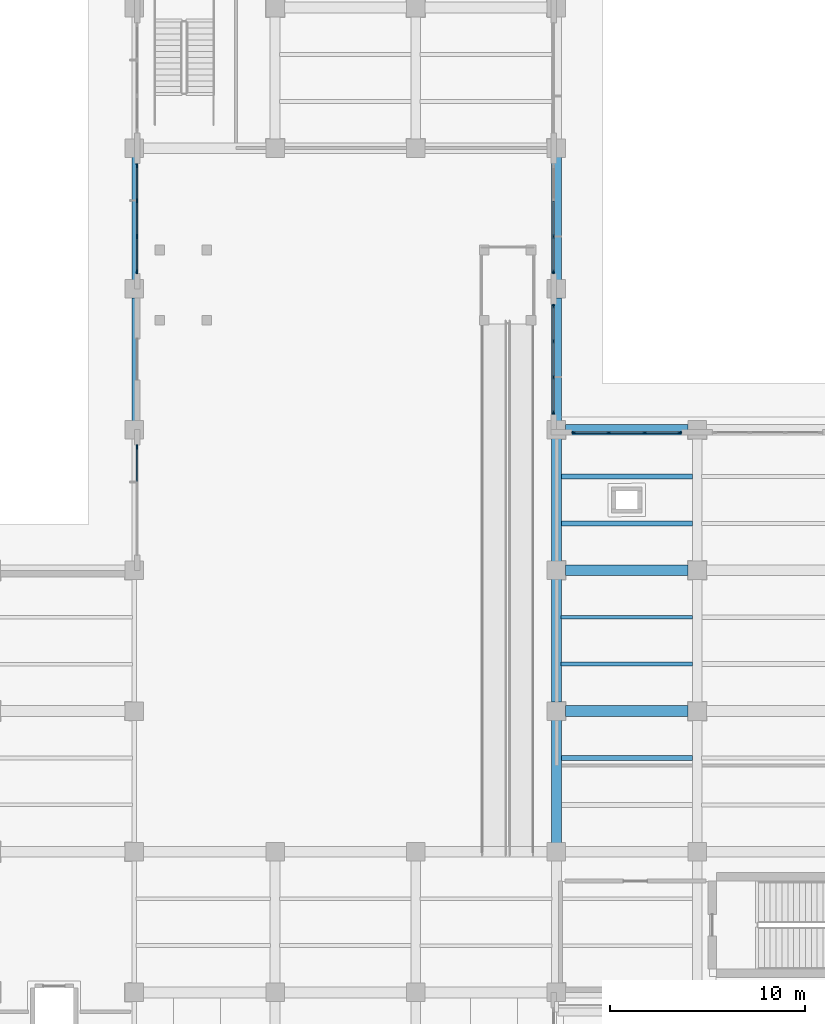
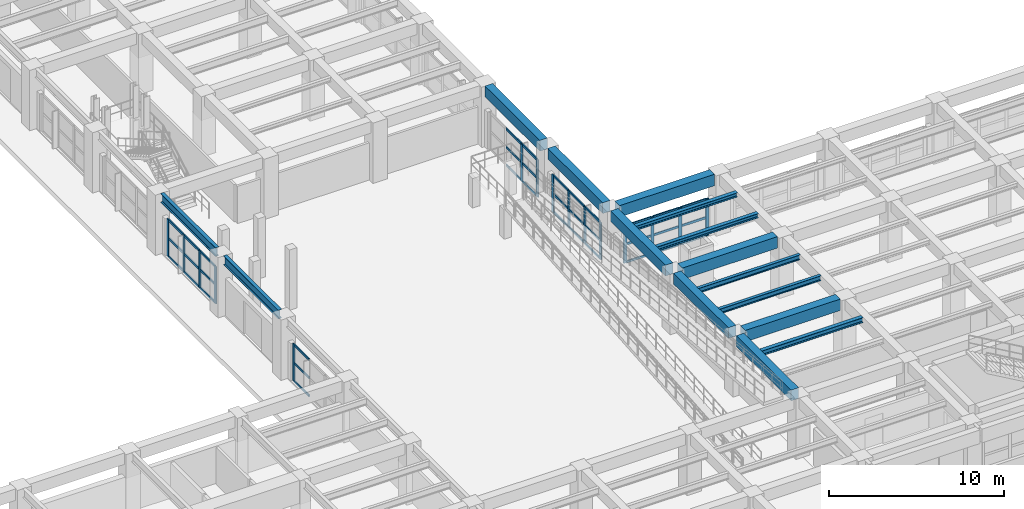
# One storey, part 10 of 64: 51 members, 15 beams, 5 elements without a shape of their own.
"""IFC4 building model written with IfcOpenShell, lengths in metres."""

import ifcopenshell
import ifcopenshell.guid

model = None  # the IFC model being written
_history = None  # IfcOwnerHistory: only IFC2X3 demands one
_inside = {}  # id of a spatial element -> (the spatial element, [elements in it])
_under = {}  # id of a project, library or spatial element -> (it, [spatial elements below it])
_declared = {}  # id of a project -> (the project, [libraries it declares])
_typed = {}  # id of a type object -> (the type object, [elements of that type])
_made_of = {}  # id of a material, layer set ... -> (it, [elements and type objects made of it])


def new_model(schema):
    """Start an empty IFC model of exactly this schema.

    Asked for "IFC4X3", IfcOpenShell would pick the latest addendum, in which some entities
    have other attributes; the version numbers below select the first issue.
    IFC2X3 requires an IfcOwnerHistory on every rooted entity: one is made here for all.
    """
    global model, _history
    if schema == "IFC4X3":
        model = ifcopenshell.file(schema_version=(4, 3, 0, 0))
    else:
        model = ifcopenshell.file(schema=schema)
    _inside.clear()
    _under.clear()
    _declared.clear()
    _typed.clear()
    _made_of.clear()
    _history = None
    if model.schema == "IFC2X3":
        org = make("IfcOrganization", Name="unknown")
        user = make(
            "IfcPersonAndOrganization",
            ThePerson=make("IfcPerson", FamilyName="unknown"),
            TheOrganization=org,
        )
        app = make(
            "IfcApplication",
            ApplicationDeveloper=org,
            Version="unknown",
            ApplicationFullName="unknown",
            ApplicationIdentifier="unknown",
        )
        _history = make(
            "IfcOwnerHistory",
            OwningUser=user,
            OwningApplication=app,
            ChangeAction="ADDED",
            CreationDate=0,
        )
    return model


def make(cls, **values):
    """One entity of the class cls with the attributes given. An attribute that is None is left unset."""
    return model.create_entity(
        cls, **{name: value for name, value in values.items() if value is not None}
    )


def rooted(cls, **values):
    """An entity with a GlobalId (a new one), such as an element, a storey or a relation."""
    return make(cls, GlobalId=ifcopenshell.guid.new(), OwnerHistory=_history, **values)


def si_unit(unit_type, name, prefix=None):
    """IfcSIUnit, for example si_unit("LENGTHUNIT", "METRE", prefix="MILLI")."""
    return make("IfcSIUnit", UnitType=unit_type, Prefix=prefix, Name=name)


def assignment(units):
    """IfcUnitAssignment: the units of a project."""
    return None if units is None else make("IfcUnitAssignment", Units=units)


def point(xyz):
    """IfcCartesianPoint."""
    return None if xyz is None else make("IfcCartesianPoint", Coordinates=xyz)


def direction(xyz):
    """IfcDirection."""
    return None if xyz is None else make("IfcDirection", DirectionRatios=xyz)


def frame(location, z_axis=None, x_axis=None):
    """IfcAxis2Placement3D, a coordinate frame: its origin and axes. An axis left out is left unset."""
    return make(
        "IfcAxis2Placement3D",
        Location=point(location),
        Axis=direction(z_axis),
        RefDirection=direction(x_axis),
    )


def frame_2d(location, x_axis=None):
    """IfcAxis2Placement2D, a coordinate frame in the plane: its origin and x axis."""
    return make(
        "IfcAxis2Placement2D", Location=point(location), RefDirection=direction(x_axis)
    )


def origin():
    """The frame at (0, 0, 0) with its axes left unset."""
    return frame((0.0, 0.0, 0.0))


def origin_2d():
    """The frame at (0, 0) in the plane with its x axis left unset."""
    return frame_2d((0.0, 0.0))


def place(relative_to, where):
    """IfcLocalPlacement: puts the frame where relative to a parent placement (None: the world)."""
    return make(
        "IfcLocalPlacement", PlacementRelTo=relative_to, RelativePlacement=where
    )


def context(
    kind, dimensions, precision=None, world=None, true_north=None, identifier=None
):
    """IfcGeometricRepresentationContext, for example the 3D "Model" context."""
    return make(
        "IfcGeometricRepresentationContext",
        ContextIdentifier=identifier,
        ContextType=kind,
        CoordinateSpaceDimension=dimensions,
        Precision=precision,
        WorldCoordinateSystem=world,
        TrueNorth=true_north,
    )


def subcontext(parent, identifier, kind, view, scale=None):
    """IfcGeometricRepresentationSubContext, for example "Body" below "Model"."""
    return make(
        "IfcGeometricRepresentationSubContext",
        ContextIdentifier=identifier,
        ContextType=kind,
        ParentContext=parent,
        TargetScale=scale,
        TargetView=view,
    )


def project(units=None, contexts=None):
    """IfcProject with its units and contexts."""
    return rooted(
        "IfcProject",
        Name="project",
        RepresentationContexts=contexts,
        UnitsInContext=assignment(units),
    )


def spatial(cls, under=None, at=None, **own):
    """A site, building, storey or space (cls), placed at a placement, below another one or the project."""
    s = rooted(cls, ObjectPlacement=at, **own)
    if under is not None:
        _under.setdefault(under.id(), (under, []))[1].append(s)
    return s


def profile(cls, at=None, kind="AREA", **sizes):
    """A parametric profile (cls). Its sizes go by their IFC names, for example OverallWidth=200.0."""
    return make(cls, ProfileType=kind, Position=at, **sizes)


def rectangle(**sizes):
    """IfcRectangleProfileDef."""
    return profile("IfcRectangleProfileDef", **sizes)


def i_section(**sizes):
    """IfcIShapeProfileDef."""
    return profile("IfcIShapeProfileDef", **sizes)


def extrude(swept, where, along, depth):
    """IfcExtrudedAreaSolid: the profile swept, set in the frame where, extruded along a direction by depth."""
    return make(
        "IfcExtrudedAreaSolid",
        SweptArea=swept,
        Position=where,
        ExtrudedDirection=direction(along),
        Depth=depth,
    )


def shape(context_of_items, identifier, shape_type, items):
    """IfcShapeRepresentation: the items that make up one representation, for example the "Body"."""
    return make(
        "IfcShapeRepresentation",
        ContextOfItems=context_of_items,
        RepresentationIdentifier=identifier,
        RepresentationType=shape_type,
        Items=items,
    )


def material(Name=None, Category=None):
    """IfcMaterial."""
    return make("IfcMaterial", Name=Name, Category=Category)


def layer(
    of_material, thickness, ventilated=None, Name=None, Category=None, Priority=None
):
    """IfcMaterialLayer: one layer of a wall or slab, of a material (None: an air gap)."""
    return make(
        "IfcMaterialLayer",
        Material=of_material,
        LayerThickness=thickness,
        IsVentilated=ventilated,
        Name=Name,
        Category=Category,
        Priority=Priority,
    )


def layer_set(layers, Name=None):
    """IfcMaterialLayerSet."""
    return make("IfcMaterialLayerSet", MaterialLayers=layers, LayerSetName=Name)


def material_profile(
    of_material, cross_section, Name=None, Category=None, Priority=None
):
    """IfcMaterialProfile: a cross section and its material."""
    return make(
        "IfcMaterialProfile",
        Name=Name,
        Material=of_material,
        Profile=cross_section,
        Priority=Priority,
        Category=Category,
    )


def profile_set(profiles, Name=None, composite=None):
    """IfcMaterialProfileSet."""
    return make(
        "IfcMaterialProfileSet",
        Name=Name,
        MaterialProfiles=profiles,
        CompositeProfile=composite,
    )


def made_of(thing, what):
    """Note that an element or type object is made of a material, layer set ...; save() writes the relation."""
    if what is not None:
        _made_of.setdefault(what.id(), (what, []))[1].append(thing)
    return thing


def type_object(cls, material=None, **own):
    """A type object (cls), such as IfcWallType, which elements share."""
    return made_of(rooted(cls, **own), material)


def element(
    cls,
    number,
    at=None,
    inside=None,
    cuts=None,
    type_object=None,
    material=None,
    context=None,
    identifier="Body",
    shape_type=None,
    held_by="IfcProductDefinitionShape",
    body=None,
    shapes=None,
    **own,
):
    """One element of the class cls, such as IfcWall. Its Tag is "e" and its number.

    at: its placement. inside: the storey or other place that contains it. cuts: it is an
    opening in that element (IfcRelVoidsElement). A single representation is given by context,
    identifier, shape_type and body (its items); several are given by shapes. held_by: the class
    of the entity that holds the representations. save() writes the other relations.
    """
    e = rooted(cls, Tag="e%d" % number, ObjectPlacement=at, **own)
    if body is not None:
        shapes = [shape(context, identifier, shape_type, body)]
    if shapes is not None:
        e.Representation = make(held_by, Representations=shapes)
    if inside is not None:
        _inside.setdefault(inside.id(), (inside, []))[1].append(e)
    if cuts is not None:
        rooted(
            "IfcRelVoidsElement", RelatingBuildingElement=cuts, RelatedOpeningElement=e
        )
    if type_object is not None:
        _typed.setdefault(type_object.id(), (type_object, []))[1].append(e)
    return made_of(e, material)


def aggregate(whole, parts):
    """IfcRelAggregates: a whole, such as a stair, and the parts it consists of."""
    return rooted("IfcRelAggregates", RelatingObject=whole, RelatedObjects=parts)


def save(model, path):
    """Write the relations noted so far, then the file.

    IfcRelAggregates (storeys below a building ...), IfcRelContainedInSpatialStructure (elements
    in a storey), IfcRelDefinesByType, IfcRelAssociatesMaterial and IfcRelDeclares: one each for
    every whole, place, type object, material and project.
    """
    for whole, parts in _under.values():
        aggregate(whole, parts)
    for where, things in _inside.values():
        rooted(
            "IfcRelContainedInSpatialStructure",
            RelatedElements=things,
            RelatingStructure=where,
        )
    for kind, things in _typed.values():
        rooted("IfcRelDefinesByType", RelatedObjects=things, RelatingType=kind)
    for what, things in _made_of.values():
        rooted("IfcRelAssociatesMaterial", RelatedObjects=things, RelatingMaterial=what)
    for by, libraries in _declared.values():
        rooted("IfcRelDeclares", RelatingContext=by, RelatedDefinitions=libraries)
    model.write(path)


model = new_model("IFC4")

# Units and contexts
model_context = context("Model", 3, precision=1e-05, world=origin(), true_north=direction((0.0, 1.0)))
body_context = subcontext(model_context, "Body", "Model", "MODEL_VIEW")
ifc_project = project(units=[si_unit("LENGTHUNIT", "METRE"), si_unit("AREAUNIT", "SQUARE_METRE"), si_unit("VOLUMEUNIT", "CUBIC_METRE"), si_unit("PLANEANGLEUNIT", "RADIAN"), si_unit("MASSUNIT", "GRAM", prefix="KILO")], contexts=[model_context])

# Site, building, storey
site_placement = place(None, origin())
site = spatial("IfcSite", under=ifc_project, at=site_placement, CompositionType="ELEMENT")
building_placement = place(site_placement, origin())
building = spatial("IfcBuilding", under=site, at=building_placement, Name="Solenvale Faculty of Natural Sciences", CompositionType="ELEMENT")
storey_placement = place(building_placement, origin())
storey = spatial("IfcBuildingStorey", under=building, at=storey_placement, Name="L00", CompositionType="ELEMENT", Elevation=0.0)

# Beams
ifc_material_1 = material(Name="Concrete 40 MPa", Category="concrete")
ifc_material_profile_1 = material_profile(ifc_material_1, rectangle(XDim=0.5, YDim=0.75, at=origin_2d()), Name="RC-BM-500x750")
ifc_profile_set_1 = profile_set([ifc_material_profile_1], Name="Concrete 40 MPa")
beam_type_1 = type_object("IfcBeamType", Name="BM-RC-500x750", PredefinedType="BEAM", material=ifc_profile_set_1)
for number, where, z_axis, x_axis, name in (
    (1, (57.60009765625, 29.2548828125, 3.844970703125), (0.0, 1.0, 0.0), (-1.0, 0.0, 0.0), "L00 Y-Girder X57.6 (28.8..36.0)"),
    (2, (57.60009765625, 36.455078125, 3.844970703125), (0.0, 1.0, 0.0), (-1.0, 0.0, 0.0), "L00 Y-Girder X57.6 (36.0..43.2)"),
    (3, (57.60009765625, 43.655029296875, 3.844970703125), (0.0, 1.0, 0.0), (-1.0, 0.0, 0.0), "L00 Y-Girder X57.6 (43.2..50.4)"),
    (4, (57.60009765625, 50.85498046875, 3.844970703125), (0.0, 1.0, 0.0), (-1.0, 0.0, 0.0), "L00 Y-Girder X57.6 (50.4..57.6)"),
    (5, (57.60009765625, 58.054931640625, 3.844970703125), (0.0, 1.0, 0.0), (-1.0, 0.0, 0.0), "L00 Y-Girder X57.6 (57.6..64.8)"),
):
    element("IfcBeam", number, at=place(storey_placement, frame(where, z_axis=z_axis, x_axis=x_axis)), inside=storey, type_object=beam_type_1, Name=name, PredefinedType="BEAM", context=body_context, shape_type="SweptSolid", body=[
        extrude(rectangle(XDim=0.5, YDim=0.75, at=origin_2d()), origin(), (0.0, 0.0, 1.0), 6.2900390625),
    ])
ifc_material_profile_2 = material_profile(ifc_material_1, rectangle(XDim=0.550048828125, YDim=0.800048828125, at=origin_2d()), Name="RC-BM-550x800")
ifc_profile_set_2 = profile_set([ifc_material_profile_2], Name="Concrete 40 MPa")
beam_type_2 = type_object("IfcBeamType", Name="BM-RC-550x800", PredefinedType="BEAM", material=ifc_profile_set_2)
for number, where, z_axis, x_axis, name in (
    (6, (58.054931640625, 36.0, 3.820068359375), (1.0, 0.0, 0.0), (0.0, 1.0, 0.0), "L00 X-Girder Y36.0 (57.6..64.8)"),
    (7, (58.054931640625, 43.199951171875, 3.820068359375), (1.0, 0.0, 0.0), (0.0, 1.0, 0.0), "L00 X-Girder Y43.2 (57.6..64.8)"),
    (8, (58.054931640625, 50.39990234375, 3.820068359375), (1.0, 0.0, 0.0), (0.0, 1.0, 0.0), "L00 X-Girder Y50.4 (57.6..64.8)"),
):
    element("IfcBeam", number, at=place(storey_placement, frame(where, z_axis=z_axis, x_axis=x_axis)), inside=storey, type_object=beam_type_2, Name=name, PredefinedType="BEAM", context=body_context, shape_type="SweptSolid", body=[
        extrude(rectangle(XDim=0.550048828125, YDim=0.800048828125, at=origin_2d()), origin(), (0.0, 0.0, 1.0), 6.2900390625),
    ])
ifc_material_2 = material(Name="Steel S355", Category="steel")
ifc_material_profile_3 = material_profile(ifc_material_2, i_section(OverallWidth=0.25390625, OverallDepth=0.305908203125, WebThickness=0.0087890625, FlangeThickness=0.0146484375, FilletRadius=0.014892578125, at=origin_2d()), Name="W310x79")
ifc_profile_set_3 = profile_set([ifc_material_profile_3], Name="Steel S355")
beam_type_3 = type_object("IfcBeamType", Name="BM-STL-W310x79", PredefinedType="JOIST", material=ifc_profile_set_3)
for number, where, z_axis, x_axis, name in (
    (9, (57.830078125, 45.60009765625, 4.06689453125), (1.0, 0.0, 0.0), (0.0, 1.0, 0.0), "L00 Composite Floor Joist (9,7).1"),
    (10, (57.830078125, 48.0, 4.06689453125), (1.0, 0.0, 0.0), (0.0, 1.0, 0.0), "L00 Composite Floor Joist (9,7).2"),
):
    element("IfcBeam", number, at=place(storey_placement, frame(where, z_axis=z_axis, x_axis=x_axis)), inside=storey, type_object=beam_type_3, Name=name, PredefinedType="JOIST", context=body_context, shape_type="SweptSolid", body=[
        extrude(i_section(OverallWidth=0.25390625, OverallDepth=0.305908203125, WebThickness=0.0087890625, FlangeThickness=0.0146484375, FilletRadius=0.014892578125, at=origin_2d()), origin(), (0.0, 0.0, 1.0), 6.739990234375),
    ])
ifc_material_profile_4 = material_profile(ifc_material_2, i_section(OverallWidth=0.2548828125, OverallDepth=0.35693359375, WebThickness=0.010498046875, FlangeThickness=0.018310546875, FilletRadius=0.014892578125, at=origin_2d()), Name="W360x101")
ifc_profile_set_4 = profile_set([ifc_material_profile_4], Name="Steel S355")
beam_type_4 = type_object("IfcBeamType", Name="BM-STL-W360x101", PredefinedType="JOIST", material=ifc_profile_set_4)
beam_placement = place(storey_placement, frame((57.830078125, 33.60009765625, 4.04150390625), z_axis=(1.0, 0.0, 0.0), x_axis=(0.0, 1.0, 0.0)))
element("IfcBeam", 11, at=beam_placement, inside=storey, type_object=beam_type_4, Name="L00 Composite Floor Joist (9,5).2", PredefinedType="JOIST", context=body_context, shape_type="SweptSolid", body=[
    extrude(i_section(OverallWidth=0.2548828125, OverallDepth=0.35693359375, WebThickness=0.010498046875, FlangeThickness=0.018310546875, FilletRadius=0.014892578125, at=origin_2d()), origin(), (0.0, 0.0, 1.0), 6.739990234375),
])
ifc_material_profile_5 = material_profile(ifc_material_2, i_section(OverallWidth=0.2041015625, OverallDepth=0.35009765625, WebThickness=0.008544921875, FlangeThickness=0.01513671875, FilletRadius=0.014892578125, at=origin_2d()), Name="W360x72")
ifc_profile_set_5 = profile_set([ifc_material_profile_5], Name="Steel S355")
beam_type_5 = type_object("IfcBeamType", Name="BM-STL-W360x72", PredefinedType="JOIST", material=ifc_profile_set_5)
for number, where, z_axis, x_axis, name in (
    (12, (57.830078125, 38.39990234375, 4.044921875), (1.0, 0.0, 0.0), (0.0, 1.0, 0.0), "L00 Composite Floor Joist (9,6).1"),
    (13, (57.830078125, 40.800048828125, 4.044921875), (1.0, 0.0, 0.0), (0.0, 1.0, 0.0), "L00 Composite Floor Joist (9,6).2"),
):
    element("IfcBeam", number, at=place(storey_placement, frame(where, z_axis=z_axis, x_axis=x_axis)), inside=storey, type_object=beam_type_5, Name=name, PredefinedType="JOIST", context=body_context, shape_type="SweptSolid", body=[
        extrude(i_section(OverallWidth=0.2041015625, OverallDepth=0.35009765625, WebThickness=0.008544921875, FlangeThickness=0.01513671875, FilletRadius=0.014892578125, at=origin_2d()), origin(), (0.0, 0.0, 1.0), 6.739990234375),
    ])
ifc_material_profile_6 = material_profile(ifc_material_2, i_section(OverallWidth=0.22900390625, OverallDepth=0.612060546875, WebThickness=0.011962890625, FlangeThickness=0.01953125, FilletRadius=0.01904296875, at=origin_2d()), Name="W610x125")
ifc_profile_set_6 = profile_set([ifc_material_profile_6], Name="Steel S355")
beam_type_6 = type_object("IfcBeamType", Name="BM-STL-W610x125", PredefinedType="BEAM", material=ifc_profile_set_6)
for number, where, z_axis, x_axis, name in (
    (14, (36.0, 50.85498046875, 3.9140625), (0.0, 1.0, 0.0), (-1.0, 0.0, 0.0), "L00 Y-Girder X36.0 (50.4..57.6)"),
    (15, (36.0, 58.054931640625, 3.9140625), (0.0, 1.0, 0.0), (-1.0, 0.0, 0.0), "L00 Y-Girder X36.0 (57.6..64.8)"),
):
    element("IfcBeam", number, at=place(storey_placement, frame(where, z_axis=z_axis, x_axis=x_axis)), inside=storey, type_object=beam_type_6, Name=name, PredefinedType="BEAM", context=body_context, shape_type="SweptSolid", body=[
        extrude(i_section(OverallWidth=0.22900390625, OverallDepth=0.612060546875, WebThickness=0.011962890625, FlangeThickness=0.01953125, FilletRadius=0.01904296875, at=origin_2d()), origin(), (0.0, 0.0, 1.0), 6.2900390625),
    ])

# Curtain wall, members
ifc_material_3 = material(Name="Anodised bronze aluminium", Category="aluminium")
ifc_layer_1 = layer(ifc_material_3, 0.179931640625)
ifc_layer_set_1 = layer_set([ifc_layer_1], Name="Anodised bronze aluminium")
curtain_wall_type_1 = type_object("IfcCurtainWallType", Name="CW-TWR-MOD", PredefinedType="USERDEFINED", material=ifc_layer_set_1)
curtain_wall_1_placement = place(storey_placement, origin())
curtain_wall_1 = element("IfcCurtainWall", 16, at=curtain_wall_1_placement, inside=storey, type_object=curtain_wall_type_1, Name="L00 Curtain Wall CW-L00-P1-E9-B8", ObjectType="UNITISED CURTAIN WALL", PredefinedType="USERDEFINED")
ifc_material_profile_7 = material_profile(ifc_material_3, rectangle(XDim=0.074951171875, YDim=0.2099609375, at=origin_2d()), Name="ALU-MUL-75x210")
ifc_profile_set_7 = profile_set([ifc_material_profile_7], Name="Anodised bronze aluminium")
member_type_1 = type_object("IfcMemberType", Name="CWM-ALU-75x210", PredefinedType="MULLION", material=ifc_profile_set_7)
member_1_placement = place(storey_placement, frame((63.91259765625, 50.257568359375, 0.0), z_axis=(0.0, 0.0, 1.0), x_axis=(0.0, -1.0, 0.0)))
member_1 = element("IfcMember", 17, at=member_1_placement, type_object=member_type_1, Name="CW-04 mullion 1", PredefinedType="MULLION", context=body_context, shape_type="SweptSolid", body=[
    extrude(rectangle(XDim=0.074951171875, YDim=0.2099609375, at=origin_2d()), origin(), (0.0, 0.0, 1.0), 2.60009765625),
])
member_2_placement = place(storey_placement, frame((62.11669921875, 50.257568359375, 0.0), z_axis=(0.0, 0.0, 1.0), x_axis=(0.0, -1.0, 0.0)))
member_2 = element("IfcMember", 18, at=member_2_placement, type_object=member_type_1, Name="CW-04 mullion 2", PredefinedType="MULLION", context=body_context, shape_type="SweptSolid", body=[
    extrude(rectangle(XDim=0.074951171875, YDim=0.2099609375, at=origin_2d()), origin(), (0.0, 0.0, 1.0), 2.60009765625),
])
member_3_placement = place(storey_placement, frame((60.283447265625, 50.257568359375, 0.0), z_axis=(0.0, 0.0, 1.0), x_axis=(0.0, -1.0, 0.0)))
member_3 = element("IfcMember", 19, at=member_3_placement, type_object=member_type_1, Name="CW-04 mullion 3", PredefinedType="MULLION", context=body_context, shape_type="SweptSolid", body=[
    extrude(rectangle(XDim=0.074951171875, YDim=0.2099609375, at=origin_2d()), origin(), (0.0, 0.0, 1.0), 2.60009765625),
])
member_4_placement = place(storey_placement, frame((58.487548828125, 50.257568359375, 0.0), z_axis=(0.0, 0.0, 1.0), x_axis=(0.0, -1.0, 0.0)))
member_4 = element("IfcMember", 20, at=member_4_placement, type_object=member_type_1, Name="CW-04 mullion 4", PredefinedType="MULLION", context=body_context, shape_type="SweptSolid", body=[
    extrude(rectangle(XDim=0.074951171875, YDim=0.2099609375, at=origin_2d()), origin(), (0.0, 0.0, 1.0), 2.60009765625),
])

ifc_layer_2 = layer(ifc_material_3, 0.215087890625)
ifc_layer_set_2 = layer_set([ifc_layer_2], Name="Anodised bronze aluminium")
curtain_wall_type_2 = type_object("IfcCurtainWallType", Name="CW-ATR-UNIT", PredefinedType="USERDEFINED", material=ifc_layer_set_2)
curtain_wall_2_placement = place(storey_placement, origin())
curtain_wall_2 = element("IfcCurtainWall", 21, at=curtain_wall_2_placement, inside=storey, type_object=curtain_wall_type_2, Name="L00 Curtain Wall CW-L00-P1-E10-B1", ObjectType="UNITISED CURTAIN WALL", PredefinedType="USERDEFINED")
member_5_placement = place(storey_placement, frame((57.45751953125, 51.28759765625, 0.0), z_axis=(0.0, 0.0, 1.0), x_axis=(-1.0, 0.0, 0.0)))
member_5 = element("IfcMember", 22, at=member_5_placement, type_object=member_type_1, Name="CW-01 mullion 1", PredefinedType="MULLION", context=body_context, shape_type="SweptSolid", body=[
    extrude(rectangle(XDim=0.074951171875, YDim=0.2099609375, at=origin_2d()), origin(), (0.0, 0.0, 1.0), 2.60009765625),
])
member_6_placement = place(storey_placement, frame((57.45751953125, 53.083251953125, 0.0), z_axis=(0.0, 0.0, 1.0), x_axis=(-1.0, 0.0, 0.0)))
member_6 = element("IfcMember", 23, at=member_6_placement, type_object=member_type_1, Name="CW-01 mullion 2", PredefinedType="MULLION", context=body_context, shape_type="SweptSolid", body=[
    extrude(rectangle(XDim=0.074951171875, YDim=0.2099609375, at=origin_2d()), origin(), (0.0, 0.0, 1.0), 2.60009765625),
])
member_7_placement = place(storey_placement, frame((57.45751953125, 54.916748046875, 0.0), z_axis=(0.0, 0.0, 1.0), x_axis=(-1.0, 0.0, 0.0)))
member_7 = element("IfcMember", 24, at=member_7_placement, type_object=member_type_1, Name="CW-01 mullion 3", PredefinedType="MULLION", context=body_context, shape_type="SweptSolid", body=[
    extrude(rectangle(XDim=0.074951171875, YDim=0.2099609375, at=origin_2d()), origin(), (0.0, 0.0, 1.0), 2.60009765625),
])
member_8_placement = place(storey_placement, frame((57.45751953125, 56.71240234375, 0.0), z_axis=(0.0, 0.0, 1.0), x_axis=(-1.0, 0.0, 0.0)))
member_8 = element("IfcMember", 25, at=member_8_placement, type_object=member_type_1, Name="CW-01 mullion 4", PredefinedType="MULLION", context=body_context, shape_type="SweptSolid", body=[
    extrude(rectangle(XDim=0.074951171875, YDim=0.2099609375, at=origin_2d()), origin(), (0.0, 0.0, 1.0), 2.60009765625),
])

curtain_wall_3_placement = place(storey_placement, origin())
curtain_wall_3 = element("IfcCurtainWall", 26, at=curtain_wall_3_placement, inside=storey, type_object=curtain_wall_type_2, Name="L00 Curtain Wall CW-L00-P1-E10-B2", ObjectType="UNITISED CURTAIN WALL", PredefinedType="USERDEFINED")
member_9_placement = place(storey_placement, frame((57.45751953125, 58.487548828125, 0.0), z_axis=(0.0, 0.0, 1.0), x_axis=(-1.0, 0.0, 0.0)))
member_9 = element("IfcMember", 27, at=member_9_placement, type_object=member_type_1, Name="CW-01 mullion 1", PredefinedType="MULLION", context=body_context, shape_type="SweptSolid", body=[
    extrude(rectangle(XDim=0.074951171875, YDim=0.2099609375, at=origin_2d()), origin(), (0.0, 0.0, 1.0), 2.60009765625),
])
member_10_placement = place(storey_placement, frame((57.45751953125, 60.283447265625, 0.0), z_axis=(0.0, 0.0, 1.0), x_axis=(-1.0, 0.0, 0.0)))
member_10 = element("IfcMember", 28, at=member_10_placement, type_object=member_type_1, Name="CW-01 mullion 2", PredefinedType="MULLION", context=body_context, shape_type="SweptSolid", body=[
    extrude(rectangle(XDim=0.074951171875, YDim=0.2099609375, at=origin_2d()), origin(), (0.0, 0.0, 1.0), 2.60009765625),
])

curtain_wall_4_placement = place(storey_placement, origin())
curtain_wall_4 = element("IfcCurtainWall", 29, at=curtain_wall_4_placement, inside=storey, type_object=curtain_wall_type_2, Name="L00 Curtain Wall CW-L00-P1-E22-B5", ObjectType="UNITISED CURTAIN WALL", PredefinedType="USERDEFINED")
member_11_placement = place(storey_placement, frame((36.142578125, 63.91259765625, 0.0), z_axis=(0.0, 0.0, 1.0), x_axis=(1.0, 0.0, 0.0)))
member_11 = element("IfcMember", 30, at=member_11_placement, type_object=member_type_1, Name="CW-01 mullion 1", PredefinedType="MULLION", context=body_context, shape_type="SweptSolid", body=[
    extrude(rectangle(XDim=0.074951171875, YDim=0.2099609375, at=origin_2d()), origin(), (0.0, 0.0, 1.0), 2.60009765625),
])
member_12_placement = place(storey_placement, frame((36.142578125, 62.11669921875, 0.0), z_axis=(0.0, 0.0, 1.0), x_axis=(1.0, 0.0, 0.0)))
member_12 = element("IfcMember", 31, at=member_12_placement, type_object=member_type_1, Name="CW-01 mullion 2", PredefinedType="MULLION", context=body_context, shape_type="SweptSolid", body=[
    extrude(rectangle(XDim=0.074951171875, YDim=0.2099609375, at=origin_2d()), origin(), (0.0, 0.0, 1.0), 2.60009765625),
])
member_13_placement = place(storey_placement, frame((36.142578125, 60.283447265625, 0.0), z_axis=(0.0, 0.0, 1.0), x_axis=(1.0, 0.0, 0.0)))
member_13 = element("IfcMember", 32, at=member_13_placement, type_object=member_type_1, Name="CW-01 mullion 3", PredefinedType="MULLION", context=body_context, shape_type="SweptSolid", body=[
    extrude(rectangle(XDim=0.074951171875, YDim=0.2099609375, at=origin_2d()), origin(), (0.0, 0.0, 1.0), 2.60009765625),
])
member_14_placement = place(storey_placement, frame((36.142578125, 58.487548828125, 0.0), z_axis=(0.0, 0.0, 1.0), x_axis=(1.0, 0.0, 0.0)))
member_14 = element("IfcMember", 33, at=member_14_placement, type_object=member_type_1, Name="CW-01 mullion 4", PredefinedType="MULLION", context=body_context, shape_type="SweptSolid", body=[
    extrude(rectangle(XDim=0.074951171875, YDim=0.2099609375, at=origin_2d()), origin(), (0.0, 0.0, 1.0), 2.60009765625),
])

# Curtain wall, member
curtain_wall_5_placement = place(storey_placement, origin())
curtain_wall_5 = element("IfcCurtainWall", 34, at=curtain_wall_5_placement, inside=storey, type_object=curtain_wall_type_2, Name="L00 Curtain Wall CW-L00-P1-E22-B7", ObjectType="UNITISED CURTAIN WALL", PredefinedType="USERDEFINED")
member_15_placement = place(storey_placement, frame((36.142578125, 49.512451171875, 0.0), z_axis=(0.0, 0.0, 1.0), x_axis=(1.0, 0.0, 0.0)))
member_15 = element("IfcMember", 35, at=member_15_placement, type_object=member_type_1, Name="CW-01 mullion 1", PredefinedType="MULLION", context=body_context, shape_type="SweptSolid", body=[
    extrude(rectangle(XDim=0.074951171875, YDim=0.2099609375, at=origin_2d()), origin(), (0.0, 0.0, 1.0), 2.60009765625),
])

# Member
ifc_material_profile_8 = material_profile(ifc_material_3, rectangle(XDim=0.074951171875, YDim=0.155029296875, at=origin_2d()), Name="ALU-TRN-75x155")
ifc_profile_set_8 = profile_set([ifc_material_profile_8], Name="Anodised bronze aluminium")
member_type_2 = type_object("IfcMemberType", Name="CWT-ALU-75x155", PredefinedType="USERDEFINED", material=ifc_profile_set_8)
member_16_placement = place(storey_placement, frame((63.875, 50.257568359375, 0.03759765625), z_axis=(-1.0, 0.0, 0.0), x_axis=(0.0, -1.0, 0.0)))
member_16 = element("IfcMember", 36, at=member_16_placement, type_object=member_type_2, Name="CW-04 transom 1.1", ObjectType="TRANSOM", PredefinedType="USERDEFINED", context=body_context, shape_type="SweptSolid", body=[
    extrude(rectangle(XDim=0.074951171875, YDim=0.155029296875, at=origin_2d()), origin(), (0.0, 0.0, 1.0), 1.720947265625),
])

member_17_placement = place(storey_placement, frame((63.875, 50.257568359375, 1.300048828125), z_axis=(-1.0, 0.0, 0.0), x_axis=(0.0, -1.0, 0.0)))
member_17 = element("IfcMember", 37, at=member_17_placement, type_object=member_type_2, Name="CW-04 transom 1.2", ObjectType="TRANSOM", PredefinedType="USERDEFINED", context=body_context, shape_type="SweptSolid", body=[
    extrude(rectangle(XDim=0.074951171875, YDim=0.155029296875, at=origin_2d()), origin(), (0.0, 0.0, 1.0), 1.720947265625),
])

member_18_placement = place(storey_placement, frame((63.875, 50.257568359375, 2.5625), z_axis=(-1.0, 0.0, 0.0), x_axis=(0.0, -1.0, 0.0)))
member_18 = element("IfcMember", 38, at=member_18_placement, type_object=member_type_2, Name="CW-04 transom 1.3", ObjectType="TRANSOM", PredefinedType="USERDEFINED", context=body_context, shape_type="SweptSolid", body=[
    extrude(rectangle(XDim=0.074951171875, YDim=0.155029296875, at=origin_2d()), origin(), (0.0, 0.0, 1.0), 1.720947265625),
])

member_19_placement = place(storey_placement, frame((62.0791015625, 50.257568359375, 0.03759765625), z_axis=(-1.0, 0.0, 0.0), x_axis=(0.0, -1.0, 0.0)))
member_19 = element("IfcMember", 39, at=member_19_placement, type_object=member_type_2, Name="CW-04 transom 2.1", ObjectType="TRANSOM", PredefinedType="USERDEFINED", context=body_context, shape_type="SweptSolid", body=[
    extrude(rectangle(XDim=0.074951171875, YDim=0.155029296875, at=origin_2d()), origin(), (0.0, 0.0, 1.0), 1.75830078125),
])

member_20_placement = place(storey_placement, frame((62.0791015625, 50.257568359375, 1.300048828125), z_axis=(-1.0, 0.0, 0.0), x_axis=(0.0, -1.0, 0.0)))
member_20 = element("IfcMember", 40, at=member_20_placement, type_object=member_type_2, Name="CW-04 transom 2.2", ObjectType="TRANSOM", PredefinedType="USERDEFINED", context=body_context, shape_type="SweptSolid", body=[
    extrude(rectangle(XDim=0.074951171875, YDim=0.155029296875, at=origin_2d()), origin(), (0.0, 0.0, 1.0), 1.75830078125),
])

member_21_placement = place(storey_placement, frame((62.0791015625, 50.257568359375, 2.5625), z_axis=(-1.0, 0.0, 0.0), x_axis=(0.0, -1.0, 0.0)))
member_21 = element("IfcMember", 41, at=member_21_placement, type_object=member_type_2, Name="CW-04 transom 2.3", ObjectType="TRANSOM", PredefinedType="USERDEFINED", context=body_context, shape_type="SweptSolid", body=[
    extrude(rectangle(XDim=0.074951171875, YDim=0.155029296875, at=origin_2d()), origin(), (0.0, 0.0, 1.0), 1.75830078125),
])

member_22_placement = place(storey_placement, frame((60.245849609375, 50.257568359375, 0.03759765625), z_axis=(-1.0, 0.0, 0.0), x_axis=(0.0, -1.0, 0.0)))
member_22 = element("IfcMember", 42, at=member_22_placement, type_object=member_type_2, Name="CW-04 transom 3.1", ObjectType="TRANSOM", PredefinedType="USERDEFINED", context=body_context, shape_type="SweptSolid", body=[
    extrude(rectangle(XDim=0.074951171875, YDim=0.155029296875, at=origin_2d()), origin(), (0.0, 0.0, 1.0), 1.720947265625),
])

member_23_placement = place(storey_placement, frame((60.245849609375, 50.257568359375, 1.300048828125), z_axis=(-1.0, 0.0, 0.0), x_axis=(0.0, -1.0, 0.0)))
member_23 = element("IfcMember", 43, at=member_23_placement, type_object=member_type_2, Name="CW-04 transom 3.2", ObjectType="TRANSOM", PredefinedType="USERDEFINED", context=body_context, shape_type="SweptSolid", body=[
    extrude(rectangle(XDim=0.074951171875, YDim=0.155029296875, at=origin_2d()), origin(), (0.0, 0.0, 1.0), 1.720947265625),
])

member_24_placement = place(storey_placement, frame((60.245849609375, 50.257568359375, 2.5625), z_axis=(-1.0, 0.0, 0.0), x_axis=(0.0, -1.0, 0.0)))
member_24 = element("IfcMember", 44, at=member_24_placement, type_object=member_type_2, Name="CW-04 transom 3.3", ObjectType="TRANSOM", PredefinedType="USERDEFINED", context=body_context, shape_type="SweptSolid", body=[
    extrude(rectangle(XDim=0.074951171875, YDim=0.155029296875, at=origin_2d()), origin(), (0.0, 0.0, 1.0), 1.720947265625),
])

aggregate(curtain_wall_1, [member_1, member_2, member_3, member_4, member_16, member_17, member_18, member_19, member_20, member_21, member_22, member_23, member_24])

member_25_placement = place(storey_placement, frame((57.45751953125, 51.324951171875, 0.03759765625), z_axis=(0.0, 1.0, 0.0), x_axis=(-1.0, 0.0, 0.0)))
member_25 = element("IfcMember", 45, at=member_25_placement, type_object=member_type_2, Name="CW-01 transom 1.1", ObjectType="TRANSOM", PredefinedType="USERDEFINED", context=body_context, shape_type="SweptSolid", body=[
    extrude(rectangle(XDim=0.074951171875, YDim=0.155029296875, at=origin_2d()), origin(), (0.0, 0.0, 1.0), 1.720947265625),
])

member_26_placement = place(storey_placement, frame((57.45751953125, 51.324951171875, 1.300048828125), z_axis=(0.0, 1.0, 0.0), x_axis=(-1.0, 0.0, 0.0)))
member_26 = element("IfcMember", 46, at=member_26_placement, type_object=member_type_2, Name="CW-01 transom 1.2", ObjectType="TRANSOM", PredefinedType="USERDEFINED", context=body_context, shape_type="SweptSolid", body=[
    extrude(rectangle(XDim=0.074951171875, YDim=0.155029296875, at=origin_2d()), origin(), (0.0, 0.0, 1.0), 1.720947265625),
])

member_27_placement = place(storey_placement, frame((57.45751953125, 51.324951171875, 2.5625), z_axis=(0.0, 1.0, 0.0), x_axis=(-1.0, 0.0, 0.0)))
member_27 = element("IfcMember", 47, at=member_27_placement, type_object=member_type_2, Name="CW-01 transom 1.3", ObjectType="TRANSOM", PredefinedType="USERDEFINED", context=body_context, shape_type="SweptSolid", body=[
    extrude(rectangle(XDim=0.074951171875, YDim=0.155029296875, at=origin_2d()), origin(), (0.0, 0.0, 1.0), 1.720947265625),
])

member_28_placement = place(storey_placement, frame((57.45751953125, 53.120849609375, 0.03759765625), z_axis=(0.0, 1.0, 0.0), x_axis=(-1.0, 0.0, 0.0)))
member_28 = element("IfcMember", 48, at=member_28_placement, type_object=member_type_2, Name="CW-01 transom 2.1", ObjectType="TRANSOM", PredefinedType="USERDEFINED", context=body_context, shape_type="SweptSolid", body=[
    extrude(rectangle(XDim=0.074951171875, YDim=0.155029296875, at=origin_2d()), origin(), (0.0, 0.0, 1.0), 1.75830078125),
])

member_29_placement = place(storey_placement, frame((57.45751953125, 53.120849609375, 1.300048828125), z_axis=(0.0, 1.0, 0.0), x_axis=(-1.0, 0.0, 0.0)))
member_29 = element("IfcMember", 49, at=member_29_placement, type_object=member_type_2, Name="CW-01 transom 2.2", ObjectType="TRANSOM", PredefinedType="USERDEFINED", context=body_context, shape_type="SweptSolid", body=[
    extrude(rectangle(XDim=0.074951171875, YDim=0.155029296875, at=origin_2d()), origin(), (0.0, 0.0, 1.0), 1.75830078125),
])

member_30_placement = place(storey_placement, frame((57.45751953125, 53.120849609375, 2.5625), z_axis=(0.0, 1.0, 0.0), x_axis=(-1.0, 0.0, 0.0)))
member_30 = element("IfcMember", 50, at=member_30_placement, type_object=member_type_2, Name="CW-01 transom 2.3", ObjectType="TRANSOM", PredefinedType="USERDEFINED", context=body_context, shape_type="SweptSolid", body=[
    extrude(rectangle(XDim=0.074951171875, YDim=0.155029296875, at=origin_2d()), origin(), (0.0, 0.0, 1.0), 1.75830078125),
])

member_31_placement = place(storey_placement, frame((57.45751953125, 54.9541015625, 0.03759765625), z_axis=(0.0, 1.0, 0.0), x_axis=(-1.0, 0.0, 0.0)))
member_31 = element("IfcMember", 51, at=member_31_placement, type_object=member_type_2, Name="CW-01 transom 3.1", ObjectType="TRANSOM", PredefinedType="USERDEFINED", context=body_context, shape_type="SweptSolid", body=[
    extrude(rectangle(XDim=0.074951171875, YDim=0.155029296875, at=origin_2d()), origin(), (0.0, 0.0, 1.0), 1.720947265625),
])

member_32_placement = place(storey_placement, frame((57.45751953125, 54.9541015625, 1.300048828125), z_axis=(0.0, 1.0, 0.0), x_axis=(-1.0, 0.0, 0.0)))
member_32 = element("IfcMember", 52, at=member_32_placement, type_object=member_type_2, Name="CW-01 transom 3.2", ObjectType="TRANSOM", PredefinedType="USERDEFINED", context=body_context, shape_type="SweptSolid", body=[
    extrude(rectangle(XDim=0.074951171875, YDim=0.155029296875, at=origin_2d()), origin(), (0.0, 0.0, 1.0), 1.720947265625),
])

member_33_placement = place(storey_placement, frame((57.45751953125, 54.9541015625, 2.5625), z_axis=(0.0, 1.0, 0.0), x_axis=(-1.0, 0.0, 0.0)))
member_33 = element("IfcMember", 53, at=member_33_placement, type_object=member_type_2, Name="CW-01 transom 3.3", ObjectType="TRANSOM", PredefinedType="USERDEFINED", context=body_context, shape_type="SweptSolid", body=[
    extrude(rectangle(XDim=0.074951171875, YDim=0.155029296875, at=origin_2d()), origin(), (0.0, 0.0, 1.0), 1.720947265625),
])

aggregate(curtain_wall_2, [member_5, member_6, member_7, member_8, member_25, member_26, member_27, member_28, member_29, member_30, member_31, member_32, member_33])

member_34_placement = place(storey_placement, frame((57.45751953125, 58.52490234375, 0.03759765625), z_axis=(0.0, 1.0, 0.0), x_axis=(-1.0, 0.0, 0.0)))
member_34 = element("IfcMember", 54, at=member_34_placement, type_object=member_type_2, Name="CW-01 transom 1.1", ObjectType="TRANSOM", PredefinedType="USERDEFINED", context=body_context, shape_type="SweptSolid", body=[
    extrude(rectangle(XDim=0.074951171875, YDim=0.155029296875, at=origin_2d()), origin(), (0.0, 0.0, 1.0), 1.720947265625),
])

member_35_placement = place(storey_placement, frame((57.45751953125, 58.52490234375, 1.300048828125), z_axis=(0.0, 1.0, 0.0), x_axis=(-1.0, 0.0, 0.0)))
member_35 = element("IfcMember", 55, at=member_35_placement, type_object=member_type_2, Name="CW-01 transom 1.2", ObjectType="TRANSOM", PredefinedType="USERDEFINED", context=body_context, shape_type="SweptSolid", body=[
    extrude(rectangle(XDim=0.074951171875, YDim=0.155029296875, at=origin_2d()), origin(), (0.0, 0.0, 1.0), 1.720947265625),
])

member_36_placement = place(storey_placement, frame((57.45751953125, 58.52490234375, 2.5625), z_axis=(0.0, 1.0, 0.0), x_axis=(-1.0, 0.0, 0.0)))
member_36 = element("IfcMember", 56, at=member_36_placement, type_object=member_type_2, Name="CW-01 transom 1.3", ObjectType="TRANSOM", PredefinedType="USERDEFINED", context=body_context, shape_type="SweptSolid", body=[
    extrude(rectangle(XDim=0.074951171875, YDim=0.155029296875, at=origin_2d()), origin(), (0.0, 0.0, 1.0), 1.720947265625),
])

member_37_placement = place(storey_placement, frame((57.45751953125, 60.32080078125, 0.03759765625), z_axis=(0.0, 1.0, 0.0), x_axis=(-1.0, 0.0, 0.0)))
member_37 = element("IfcMember", 57, at=member_37_placement, type_object=member_type_2, Name="CW-01 transom 2.1", ObjectType="TRANSOM", PredefinedType="USERDEFINED", context=body_context, shape_type="SweptSolid", body=[
    extrude(rectangle(XDim=0.074951171875, YDim=0.155029296875, at=origin_2d()), origin(), (0.0, 0.0, 1.0), 1.75830078125),
])

member_38_placement = place(storey_placement, frame((57.45751953125, 60.32080078125, 1.300048828125), z_axis=(0.0, 1.0, 0.0), x_axis=(-1.0, 0.0, 0.0)))
member_38 = element("IfcMember", 58, at=member_38_placement, type_object=member_type_2, Name="CW-01 transom 2.2", ObjectType="TRANSOM", PredefinedType="USERDEFINED", context=body_context, shape_type="SweptSolid", body=[
    extrude(rectangle(XDim=0.074951171875, YDim=0.155029296875, at=origin_2d()), origin(), (0.0, 0.0, 1.0), 1.75830078125),
])

member_39_placement = place(storey_placement, frame((57.45751953125, 60.32080078125, 2.5625), z_axis=(0.0, 1.0, 0.0), x_axis=(-1.0, 0.0, 0.0)))
member_39 = element("IfcMember", 59, at=member_39_placement, type_object=member_type_2, Name="CW-01 transom 2.3", ObjectType="TRANSOM", PredefinedType="USERDEFINED", context=body_context, shape_type="SweptSolid", body=[
    extrude(rectangle(XDim=0.074951171875, YDim=0.155029296875, at=origin_2d()), origin(), (0.0, 0.0, 1.0), 1.75830078125),
])

aggregate(curtain_wall_3, [member_9, member_10, member_34, member_35, member_36, member_37, member_38, member_39])

member_40_placement = place(storey_placement, frame((36.142578125, 63.875, 0.03759765625), z_axis=(0.0, -1.0, 0.0), x_axis=(1.0, 0.0, 0.0)))
member_40 = element("IfcMember", 60, at=member_40_placement, type_object=member_type_2, Name="CW-01 transom 1.1", ObjectType="TRANSOM", PredefinedType="USERDEFINED", context=body_context, shape_type="SweptSolid", body=[
    extrude(rectangle(XDim=0.074951171875, YDim=0.155029296875, at=origin_2d()), origin(), (0.0, 0.0, 1.0), 1.720947265625),
])

member_41_placement = place(storey_placement, frame((36.142578125, 63.875, 1.300048828125), z_axis=(0.0, -1.0, 0.0), x_axis=(1.0, 0.0, 0.0)))
member_41 = element("IfcMember", 61, at=member_41_placement, type_object=member_type_2, Name="CW-01 transom 1.2", ObjectType="TRANSOM", PredefinedType="USERDEFINED", context=body_context, shape_type="SweptSolid", body=[
    extrude(rectangle(XDim=0.074951171875, YDim=0.155029296875, at=origin_2d()), origin(), (0.0, 0.0, 1.0), 1.720947265625),
])

member_42_placement = place(storey_placement, frame((36.142578125, 63.875, 2.5625), z_axis=(0.0, -1.0, 0.0), x_axis=(1.0, 0.0, 0.0)))
member_42 = element("IfcMember", 62, at=member_42_placement, type_object=member_type_2, Name="CW-01 transom 1.3", ObjectType="TRANSOM", PredefinedType="USERDEFINED", context=body_context, shape_type="SweptSolid", body=[
    extrude(rectangle(XDim=0.074951171875, YDim=0.155029296875, at=origin_2d()), origin(), (0.0, 0.0, 1.0), 1.720947265625),
])

member_43_placement = place(storey_placement, frame((36.142578125, 62.0791015625, 0.03759765625), z_axis=(0.0, -1.0, 0.0), x_axis=(1.0, 0.0, 0.0)))
member_43 = element("IfcMember", 63, at=member_43_placement, type_object=member_type_2, Name="CW-01 transom 2.1", ObjectType="TRANSOM", PredefinedType="USERDEFINED", context=body_context, shape_type="SweptSolid", body=[
    extrude(rectangle(XDim=0.074951171875, YDim=0.155029296875, at=origin_2d()), origin(), (0.0, 0.0, 1.0), 1.75830078125),
])

member_44_placement = place(storey_placement, frame((36.142578125, 62.0791015625, 1.300048828125), z_axis=(0.0, -1.0, 0.0), x_axis=(1.0, 0.0, 0.0)))
member_44 = element("IfcMember", 64, at=member_44_placement, type_object=member_type_2, Name="CW-01 transom 2.2", ObjectType="TRANSOM", PredefinedType="USERDEFINED", context=body_context, shape_type="SweptSolid", body=[
    extrude(rectangle(XDim=0.074951171875, YDim=0.155029296875, at=origin_2d()), origin(), (0.0, 0.0, 1.0), 1.75830078125),
])

member_45_placement = place(storey_placement, frame((36.142578125, 62.0791015625, 2.5625), z_axis=(0.0, -1.0, 0.0), x_axis=(1.0, 0.0, 0.0)))
member_45 = element("IfcMember", 65, at=member_45_placement, type_object=member_type_2, Name="CW-01 transom 2.3", ObjectType="TRANSOM", PredefinedType="USERDEFINED", context=body_context, shape_type="SweptSolid", body=[
    extrude(rectangle(XDim=0.074951171875, YDim=0.155029296875, at=origin_2d()), origin(), (0.0, 0.0, 1.0), 1.75830078125),
])

member_46_placement = place(storey_placement, frame((36.142578125, 60.245849609375, 0.03759765625), z_axis=(0.0, -1.0, 0.0), x_axis=(1.0, 0.0, 0.0)))
member_46 = element("IfcMember", 66, at=member_46_placement, type_object=member_type_2, Name="CW-01 transom 3.1", ObjectType="TRANSOM", PredefinedType="USERDEFINED", context=body_context, shape_type="SweptSolid", body=[
    extrude(rectangle(XDim=0.074951171875, YDim=0.155029296875, at=origin_2d()), origin(), (0.0, 0.0, 1.0), 1.720947265625),
])

member_47_placement = place(storey_placement, frame((36.142578125, 60.245849609375, 1.300048828125), z_axis=(0.0, -1.0, 0.0), x_axis=(1.0, 0.0, 0.0)))
member_47 = element("IfcMember", 67, at=member_47_placement, type_object=member_type_2, Name="CW-01 transom 3.2", ObjectType="TRANSOM", PredefinedType="USERDEFINED", context=body_context, shape_type="SweptSolid", body=[
    extrude(rectangle(XDim=0.074951171875, YDim=0.155029296875, at=origin_2d()), origin(), (0.0, 0.0, 1.0), 1.720947265625),
])

member_48_placement = place(storey_placement, frame((36.142578125, 60.245849609375, 2.5625), z_axis=(0.0, -1.0, 0.0), x_axis=(1.0, 0.0, 0.0)))
member_48 = element("IfcMember", 68, at=member_48_placement, type_object=member_type_2, Name="CW-01 transom 3.3", ObjectType="TRANSOM", PredefinedType="USERDEFINED", context=body_context, shape_type="SweptSolid", body=[
    extrude(rectangle(XDim=0.074951171875, YDim=0.155029296875, at=origin_2d()), origin(), (0.0, 0.0, 1.0), 1.720947265625),
])

aggregate(curtain_wall_4, [member_11, member_12, member_13, member_14, member_40, member_41, member_42, member_43, member_44, member_45, member_46, member_47, member_48])

member_49_placement = place(storey_placement, frame((36.142578125, 49.47509765625, 0.03759765625), z_axis=(0.0, -1.0, 0.0), x_axis=(1.0, 0.0, 0.0)))
member_49 = element("IfcMember", 69, at=member_49_placement, type_object=member_type_2, Name="CW-01 transom 1.1", ObjectType="TRANSOM", PredefinedType="USERDEFINED", context=body_context, shape_type="SweptSolid", body=[
    extrude(rectangle(XDim=0.074951171875, YDim=0.155029296875, at=origin_2d()), origin(), (0.0, 0.0, 1.0), 1.720947265625),
])

member_50_placement = place(storey_placement, frame((36.142578125, 49.47509765625, 1.300048828125), z_axis=(0.0, -1.0, 0.0), x_axis=(1.0, 0.0, 0.0)))
member_50 = element("IfcMember", 70, at=member_50_placement, type_object=member_type_2, Name="CW-01 transom 1.2", ObjectType="TRANSOM", PredefinedType="USERDEFINED", context=body_context, shape_type="SweptSolid", body=[
    extrude(rectangle(XDim=0.074951171875, YDim=0.155029296875, at=origin_2d()), origin(), (0.0, 0.0, 1.0), 1.720947265625),
])

member_51_placement = place(storey_placement, frame((36.142578125, 49.47509765625, 2.5625), z_axis=(0.0, -1.0, 0.0), x_axis=(1.0, 0.0, 0.0)))
member_51 = element("IfcMember", 71, at=member_51_placement, type_object=member_type_2, Name="CW-01 transom 1.3", ObjectType="TRANSOM", PredefinedType="USERDEFINED", context=body_context, shape_type="SweptSolid", body=[
    extrude(rectangle(XDim=0.074951171875, YDim=0.155029296875, at=origin_2d()), origin(), (0.0, 0.0, 1.0), 1.720947265625),
])

aggregate(curtain_wall_5, [member_15, member_49, member_50, member_51])

save(model, "model.ifc")
